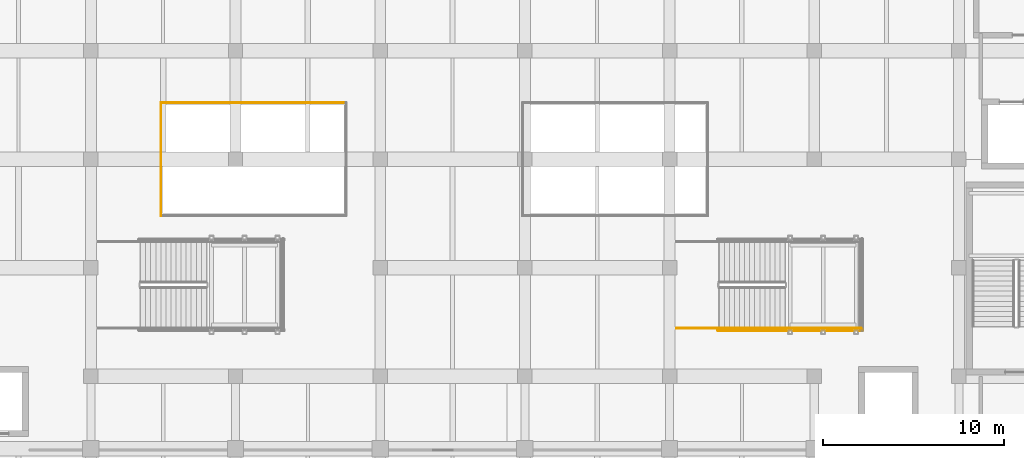
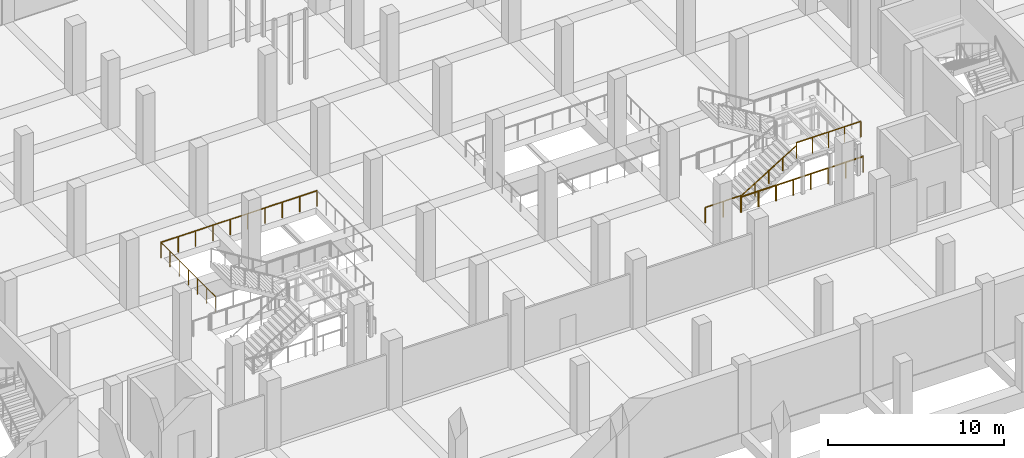
# One storey, part 31 of 36: 7 railings.
"""IFC4 building model written with IfcOpenShell, lengths in metres."""

from ifc_helpers import new_model, si_unit, direction, frame, origin, origin_2d, place, context, subcontext, project, spatial, circle, extrude, material, type_object, element, save


model = new_model("IFC4")

# Units and contexts
model_context = context("Model", 3, precision=1e-05, world=origin(), true_north=direction((0.0, 1.0)))
body_context = subcontext(model_context, "Body", "Model", "MODEL_VIEW")
ifc_project = project(units=[si_unit("LENGTHUNIT", "METRE"), si_unit("AREAUNIT", "SQUARE_METRE"), si_unit("VOLUMEUNIT", "CUBIC_METRE"), si_unit("PLANEANGLEUNIT", "RADIAN"), si_unit("MASSUNIT", "GRAM", prefix="KILO")], contexts=[model_context])

# Site, building, storey
site_placement = place(None, origin())
site = spatial("IfcSite", under=ifc_project, at=site_placement, CompositionType="ELEMENT")
building_placement = place(site_placement, origin())
building = spatial("IfcBuilding", under=site, at=building_placement, Name="Verrall Gate Interchange", CompositionType="ELEMENT")
storey_placement = place(building_placement, frame((0.0, 0.0, -4.800048828125)))
storey = spatial("IfcBuildingStorey", under=building, at=storey_placement, Name="B1", CompositionType="ELEMENT", Elevation=-4.800048828125)

# Railings
ifc_material_1 = material(Name="Brushed Stainless-Steel Guardrail and Handrail System", Category="steel")
railing_type_1 = type_object("IfcRailingType", Name="GR-02 Interior Atrium and Stair Guardrail 1100", PredefinedType="GUARDRAIL", material=ifc_material_1)
railing_1_placement = place(storey_placement, frame((90.389892578125, 18.64990234375, 2.400146484375)))
element("IfcRailing", 1, at=railing_1_placement, inside=storey, type_object=railing_type_1, Name="B1 ST-11 stair guard 3", PredefinedType="GUARDRAIL", context=body_context, shape_type="SweptSolid", body=[
    extrude(circle(Radius=0.02392578125, at=origin_2d()), frame((0.0, 0.0, 1.076171875), z_axis=(1.0, 0.0, 0.0), x_axis=(0.0, 1.0, 0.0)), (0.0, 0.0, 1.0), 4.210205078125),
    extrude(circle(Radius=0.02099609375, at=origin_2d()), origin(), (0.0, 0.0, 1.0), 1.052001953125),
    extrude(circle(Radius=0.02099609375, at=origin_2d()), frame((1.052490234375, 0.0, 0.0)), (0.0, 0.0, 1.0), 1.052001953125),
    extrude(circle(Radius=0.02099609375, at=origin_2d()), frame((2.10498046875, 0.0, 0.0)), (0.0, 0.0, 1.0), 1.052001953125),
    extrude(circle(Radius=0.02099609375, at=origin_2d()), frame((3.15771484375, 0.0, 0.0)), (0.0, 0.0, 1.0), 1.052001953125),
    extrude(circle(Radius=0.02099609375, at=origin_2d()), frame((4.210205078125, 0.0, 0.0)), (0.0, 0.0, 1.0), 1.052001953125),
])
railing_2_placement = place(storey_placement, frame((84.39990234375, 18.64990234375, 0.0)))
element("IfcRailing", 2, at=railing_2_placement, inside=storey, type_object=railing_type_1, Name="B1 ST-11 stair guard 8", PredefinedType="GUARDRAIL", context=body_context, shape_type="SweptSolid", body=[
    extrude(circle(Radius=0.02392578125, at=origin_2d()), frame((0.0, 0.0, 1.076171875), z_axis=(1.0, 0.0, 0.0), x_axis=(0.0, 1.0, 0.0)), (0.0, 0.0, 1.0), 2.35009765625),
    extrude(circle(Radius=0.02099609375, at=origin_2d()), origin(), (0.0, 0.0, 1.0), 1.052001953125),
    extrude(circle(Radius=0.02099609375, at=origin_2d()), frame((1.175048828125, 0.0, 0.0)), (0.0, 0.0, 1.0), 1.052001953125),
    extrude(circle(Radius=0.02099609375, at=origin_2d()), frame((2.35009765625, 0.0, 0.0)), (0.0, 0.0, 1.0), 1.052001953125),
])
railing_3_placement = place(storey_placement, frame((86.64990234375, 18.550048828125, 0.0)))
element("IfcRailing", 3, at=railing_3_placement, inside=storey, type_object=railing_type_1, Name="B1 ST-11 stair guard 10", PredefinedType="GUARDRAIL", context=body_context, shape_type="SweptSolid", body=[
    extrude(circle(Radius=0.02392578125, at=origin_2d()), frame((0.0, 0.0, 1.076171875), z_axis=(1.0, 0.0, 0.0), x_axis=(0.0, 1.0, 0.0)), (0.0, 0.0, 1.0), 8.050048828125),
    extrude(circle(Radius=0.02099609375, at=origin_2d()), origin(), (0.0, 0.0, 1.0), 1.052001953125),
    extrude(circle(Radius=0.02099609375, at=origin_2d()), frame((1.14990234375, 0.0, 0.0)), (0.0, 0.0, 1.0), 1.052001953125),
    extrude(circle(Radius=0.02099609375, at=origin_2d()), frame((2.300048828125, 0.0, 0.0)), (0.0, 0.0, 1.0), 1.052001953125),
    extrude(circle(Radius=0.02099609375, at=origin_2d()), frame((3.449951171875, 0.0, 0.0)), (0.0, 0.0, 1.0), 1.052001953125),
    extrude(circle(Radius=0.02099609375, at=origin_2d()), frame((4.60009765625, 0.0, 0.0)), (0.0, 0.0, 1.0), 1.052001953125),
    extrude(circle(Radius=0.02099609375, at=origin_2d()), frame((5.75, 0.0, 0.0)), (0.0, 0.0, 1.0), 1.052001953125),
    extrude(circle(Radius=0.02099609375, at=origin_2d()), frame((6.900146484375, 0.0, 0.0)), (0.0, 0.0, 1.0), 1.052001953125),
    extrude(circle(Radius=0.02099609375, at=origin_2d()), frame((8.050048828125, 0.0, 0.0)), (0.0, 0.0, 1.0), 1.052001953125),
])
railing_4_placement = place(storey_placement, frame((86.699951171875, 18.52001953125, 0.0)))
element("IfcRailing", 4, at=railing_4_placement, inside=storey, type_object=railing_type_1, Name="B1 ST-11 Well Edge Guardrail 1", PredefinedType="GUARDRAIL", context=body_context, shape_type="SweptSolid", body=[
    extrude(circle(Radius=0.02392578125, at=origin_2d()), frame((0.0, 0.0, 1.076171875), z_axis=(1.0, 0.0, 0.0), x_axis=(0.0, 1.0, 0.0)), (0.0, 0.0, 1.0), 7.97998046875),
    extrude(circle(Radius=0.02099609375, at=origin_2d()), origin(), (0.0, 0.0, 1.0), 1.052001953125),
    extrude(circle(Radius=0.02099609375, at=origin_2d()), frame((1.139892578125, 0.0, 0.0)), (0.0, 0.0, 1.0), 1.052001953125),
    extrude(circle(Radius=0.02099609375, at=origin_2d()), frame((2.280029296875, 0.0, 0.0)), (0.0, 0.0, 1.0), 1.052001953125),
    extrude(circle(Radius=0.02099609375, at=origin_2d()), frame((3.419921875, 0.0, 0.0)), (0.0, 0.0, 1.0), 1.052001953125),
    extrude(circle(Radius=0.02099609375, at=origin_2d()), frame((4.56005859375, 0.0, 0.0)), (0.0, 0.0, 1.0), 1.052001953125),
    extrude(circle(Radius=0.02099609375, at=origin_2d()), frame((5.699951171875, 0.0, 0.0)), (0.0, 0.0, 1.0), 1.052001953125),
    extrude(circle(Radius=0.02099609375, at=origin_2d()), frame((6.840087890625, 0.0, 0.0)), (0.0, 0.0, 1.0), 1.052001953125),
    extrude(circle(Radius=0.02099609375, at=origin_2d()), frame((7.97998046875, 0.0, 0.0)), (0.0, 0.0, 1.0), 1.052001953125),
])
railing_5_placement = place(storey_placement, frame((66.1201171875, 31.1201171875, 0.0)))
element("IfcRailing", 5, at=railing_5_placement, inside=storey, type_object=railing_type_1, Name="B1 ESC-W Perimeter Guardrail 19", PredefinedType="GUARDRAIL", context=body_context, shape_type="SweptSolid", body=[
    extrude(circle(Radius=0.02392578125, at=origin_2d()), frame((0.0, 0.0, 1.076171875), z_axis=(-1.0, 0.0, 0.0), x_axis=(0.0, -1.0, 0.0)), (0.0, 0.0, 1.0), 10.240234375),
    extrude(circle(Radius=0.02099609375, at=origin_2d()), origin(), (0.0, 0.0, 1.0), 1.052001953125),
    extrude(circle(Radius=0.02099609375, at=origin_2d()), frame((-1.1376953125, 0.0, 0.0)), (0.0, 0.0, 1.0), 1.052001953125),
    extrude(circle(Radius=0.02099609375, at=origin_2d()), frame((-2.275634765625, 0.0, 0.0)), (0.0, 0.0, 1.0), 1.052001953125),
    extrude(circle(Radius=0.02099609375, at=origin_2d()), frame((-3.413330078125, 0.0, 0.0)), (0.0, 0.0, 1.0), 1.052001953125),
    extrude(circle(Radius=0.02099609375, at=origin_2d()), frame((-4.55126953125, 0.0, 0.0)), (0.0, 0.0, 1.0), 1.052001953125),
    extrude(circle(Radius=0.02099609375, at=origin_2d()), frame((-5.68896484375, 0.0, 0.0)), (0.0, 0.0, 1.0), 1.052001953125),
    extrude(circle(Radius=0.02099609375, at=origin_2d()), frame((-6.826904296875, 0.0, 0.0)), (0.0, 0.0, 1.0), 1.052001953125),
    extrude(circle(Radius=0.02099609375, at=origin_2d()), frame((-7.964599609375, 0.0, 0.0)), (0.0, 0.0, 1.0), 1.052001953125),
    extrude(circle(Radius=0.02099609375, at=origin_2d()), frame((-9.1025390625, 0.0, 0.0)), (0.0, 0.0, 1.0), 1.052001953125),
    extrude(circle(Radius=0.02099609375, at=origin_2d()), frame((-10.240234375, 0.0, 0.0)), (0.0, 0.0, 1.0), 1.052001953125),
])
railing_6_placement = place(storey_placement, frame((55.8798828125, 31.1201171875, 0.0)))
element("IfcRailing", 6, at=railing_6_placement, inside=storey, type_object=railing_type_1, Name="B1 ESC-W Perimeter Guardrail 20", PredefinedType="GUARDRAIL", context=body_context, shape_type="SweptSolid", body=[
    extrude(circle(Radius=0.02392578125, at=origin_2d()), frame((0.0, 0.0, 1.076171875), z_axis=(0.0, -1.0, 0.0), x_axis=(1.0, 0.0, 0.0)), (0.0, 0.0, 1.0), 6.240234375),
    extrude(circle(Radius=0.02099609375, at=origin_2d()), origin(), (0.0, 0.0, 1.0), 1.052001953125),
    extrude(circle(Radius=0.02099609375, at=origin_2d()), frame((0.0, -1.0400390625, 0.0)), (0.0, 0.0, 1.0), 1.052001953125),
    extrude(circle(Radius=0.02099609375, at=origin_2d()), frame((0.0, -2.080078125, 0.0)), (0.0, 0.0, 1.0), 1.052001953125),
    extrude(circle(Radius=0.02099609375, at=origin_2d()), frame((0.0, -3.1201171875, 0.0)), (0.0, 0.0, 1.0), 1.052001953125),
    extrude(circle(Radius=0.02099609375, at=origin_2d()), frame((0.0, -4.16015625, 0.0)), (0.0, 0.0, 1.0), 1.052001953125),
    extrude(circle(Radius=0.02099609375, at=origin_2d()), frame((0.0, -5.2001953125, 0.0)), (0.0, 0.0, 1.0), 1.052001953125),
    extrude(circle(Radius=0.02099609375, at=origin_2d()), frame((0.0, -6.240234375, 0.0)), (0.0, 0.0, 1.0), 1.052001953125),
])
ifc_material_2 = material(Name="Brushed Stainless-Steel Guardrail and Handrail System", Category="steel")
railing_type_2 = type_object("IfcRailingType", Name="HR-01 Stair and Ramp Pitch-Line Handrail 920", PredefinedType="HANDRAIL", material=ifc_material_2)
railing_7_placement = place(storey_placement, frame((86.75, 18.64990234375, 0.17138671875)))
element("IfcRailing", 7, at=railing_7_placement, inside=storey, type_object=railing_type_2, Name="B1 ST-11 stair handrail 1", PredefinedType="HANDRAIL", context=body_context, shape_type="SweptSolid", body=[
    extrude(circle(Radius=0.02392578125, at=origin_2d()), frame((0.0, 0.0, 0.8759765625), z_axis=(0.852824790078, 0.0, 0.522197163366), x_axis=(0.0, 1.0, 0.0)), (0.0, 0.0, 1.0), 4.26806640625),
    extrude(circle(Radius=0.02099609375, at=origin_2d()), origin(), (0.0, 0.0, 1.0), 0.851806640625),
    extrude(circle(Radius=0.02099609375, at=origin_2d()), frame((0.909912109375, 0.0, 0.55712890625)), (0.0, 0.0, 1.0), 0.851806640625),
    extrude(circle(Radius=0.02099609375, at=origin_2d()), frame((1.81982421875, 0.0, 1.1142578125)), (0.0, 0.0, 1.0), 0.851806640625),
    extrude(circle(Radius=0.02099609375, at=origin_2d()), frame((2.72998046875, 0.0, 1.671630859375)), (0.0, 0.0, 1.0), 0.851806640625),
    extrude(circle(Radius=0.02099609375, at=origin_2d()), frame((3.639892578125, 0.0, 2.228759765625)), (0.0, 0.0, 1.0), 0.851806640625),
])

save(model, "model.ifc")
